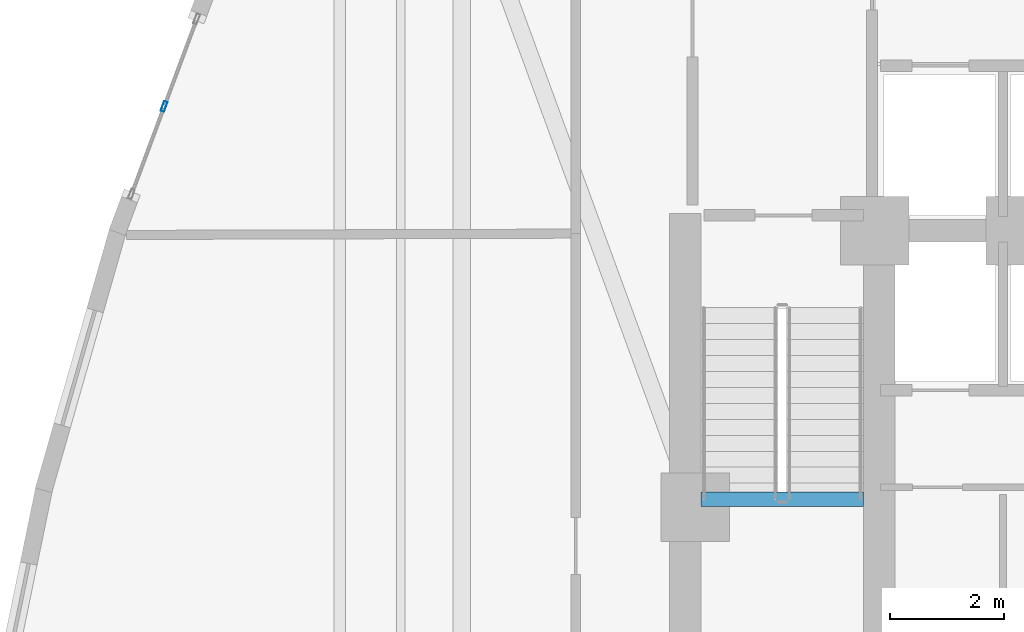
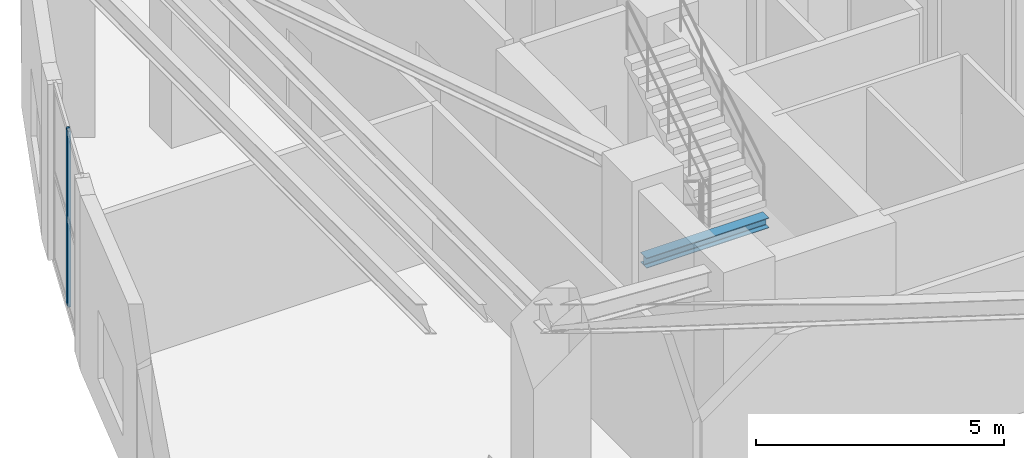
# One storey, part 6 of 17: 1 beam, 1 member, 1 element without a shape of its own.
"""IFC4 building model written with IfcOpenShell, lengths in metres."""

from ifc_helpers import new_model, si_unit, direction, frame, origin, origin_2d, place, context, subcontext, project, spatial, hollow_rectangle, i_section, extrude, material, layer, layer_set, material_profile, profile_set, type_object, element, aggregate, save


model = new_model("IFC4")

# Units and contexts
model_context = context("Model", 3, precision=1e-05, world=origin(), true_north=direction((0.0, 1.0)))
body_context = subcontext(model_context, "Body", "Model", "MODEL_VIEW")
ifc_project = project(units=[si_unit("LENGTHUNIT", "METRE"), si_unit("AREAUNIT", "SQUARE_METRE"), si_unit("VOLUMEUNIT", "CUBIC_METRE"), si_unit("PLANEANGLEUNIT", "RADIAN"), si_unit("MASSUNIT", "GRAM", prefix="KILO")], contexts=[model_context])

# Site, building, storey
site_placement = place(None, origin())
site = spatial("IfcSite", under=ifc_project, at=site_placement, CompositionType="ELEMENT")
building_placement = place(site_placement, origin())
building = spatial("IfcBuilding", under=site, at=building_placement, Name="Miruveldt Soraemaru", CompositionType="ELEMENT")
storey_placement = place(building_placement, frame((0.0, 0.0, 95.800048828125)))
storey = spatial("IfcBuildingStorey", under=building, at=storey_placement, Name="L26", CompositionType="ELEMENT", Elevation=95.800048828125)

# Beam
ifc_material_1 = material(Name="Steel SM355 (355 MPa)", Category="steel")
ifc_material_profile_1 = material_profile(ifc_material_1, i_section(OverallWidth=0.25, OverallDepth=0.25, WebThickness=0.009033203125, FlangeThickness=0.013916015625, FilletRadius=0.01611328125, at=origin_2d()), Name="Steel SM355 (355 MPa)", Category="steel")
ifc_profile_set_1 = profile_set([ifc_material_profile_1], Name="Steel SM355 (355 MPa)")
beam_type = type_object("IfcBeamType", Name="BM-ST-LND250", PredefinedType="BEAM", material=ifc_profile_set_1)
beam_placement = place(storey_placement, frame((35.60009765625, 39.340087890625, 1.974853515625), z_axis=(1.0, 0.0, 0.0), x_axis=(0.0, 1.0, 0.0)))
element("IfcBeam", 1, at=beam_placement, inside=storey, type_object=beam_type, Name="L26 ST1 Landing Support Beam 1A", PredefinedType="BEAM", context=body_context, shape_type="SweptSolid", body=[
    extrude(i_section(OverallWidth=0.25, OverallDepth=0.25, WebThickness=0.009033203125, FlangeThickness=0.013916015625, FilletRadius=0.01611328125, at=origin_2d()), origin(), (0.0, 0.0, 1.0), 2.849853515625),
])

# Curtain wall, member
ifc_material_2 = material(Name="Anodised aluminium EN AW-6063 T6", Category="aluminium")
ifc_layer = layer(ifc_material_2, 0.179931640625, Name="Anodised aluminium EN AW-6063 T6", Category="aluminium")
ifc_layer_set = layer_set([ifc_layer], Name="Anodised aluminium EN AW-6063 T6")
curtain_wall_type = type_object("IfcCurtainWallType", Name="CW-SYS-4", PredefinedType="USERDEFINED", material=ifc_layer_set)
curtain_wall_placement = place(storey_placement, origin())
curtain_wall = element("IfcCurtainWall", 2, at=curtain_wall_placement, inside=storey, type_object=curtain_wall_type, Name="L26 Curtain Wall Bay 12", ObjectType="UNITISED GLAZING", PredefinedType="USERDEFINED")
ifc_material_profile_2 = material_profile(ifc_material_2, hollow_rectangle(XDim=0.06494140625, YDim=0.179931640625, WallThickness=0.00390625, at=origin_2d()), Name="Anodised aluminium EN AW-6063 T6", Category="aluminium")
ifc_profile_set_2 = profile_set([ifc_material_profile_2], Name="Anodised aluminium EN AW-6063 T6")
member_type = type_object("IfcMemberType", Name="CWM-4", PredefinedType="MULLION", material=ifc_profile_set_2)
member_placement = place(storey_placement, frame((26.175537109375, 46.231689453125, 0.0), z_axis=(0.0, 0.0, 1.0), x_axis=(0.937118512381, -0.349011308919, 0.0)))
member = element("IfcMember", 3, at=member_placement, type_object=member_type, Name="CW-4 mullion 2", PredefinedType="MULLION", context=body_context, shape_type="SweptSolid", body=[
    extrude(hollow_rectangle(XDim=0.06494140625, YDim=0.179931640625, WallThickness=0.00390625, at=origin_2d()), origin(), (0.0, 0.0, 1.0), 4.3349609375),
])
aggregate(curtain_wall, [member])

save(model, "model.ifc")
